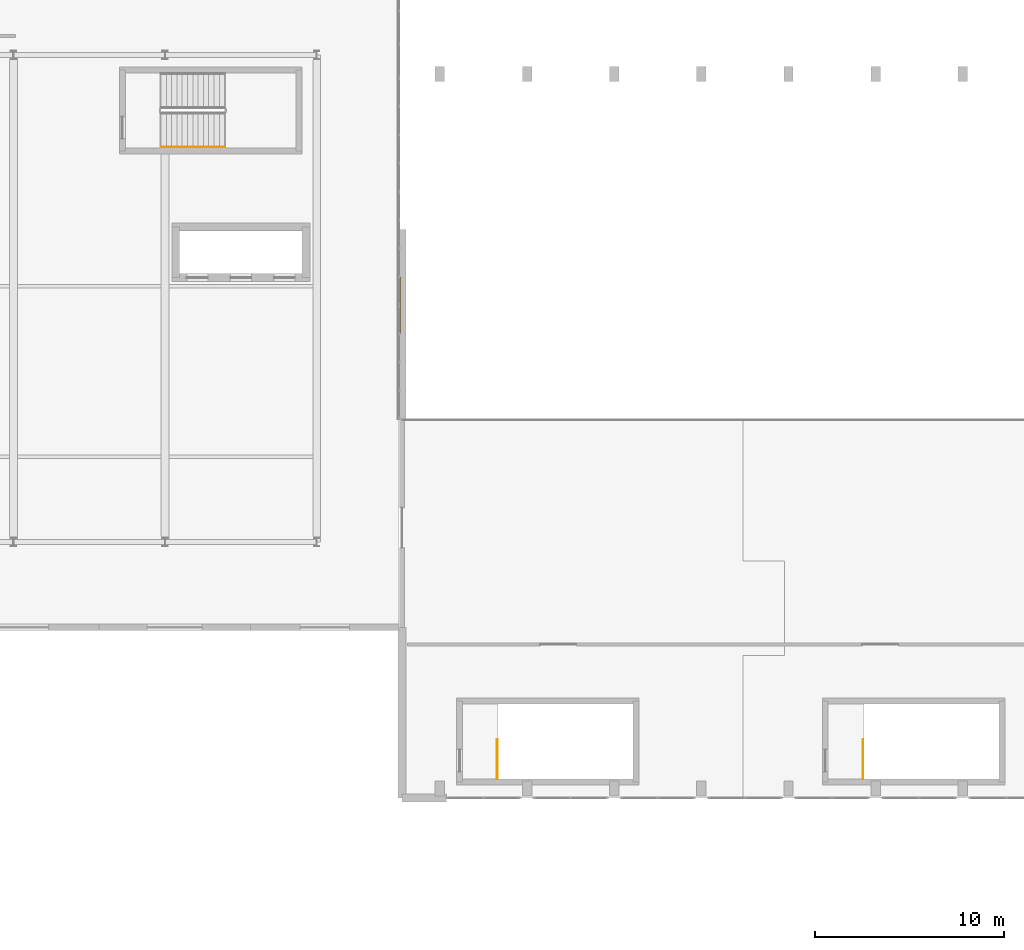
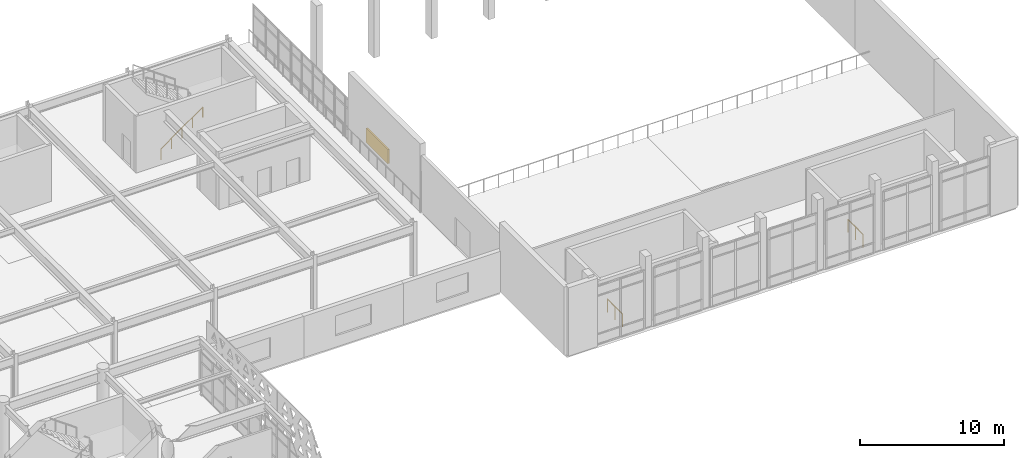
# One storey, part 52 of 54: 3 railings, 1 shading device.
"""IFC4 building model written with IfcOpenShell, lengths in metres."""

from ifc_helpers import new_model, si_unit, direction, frame, origin, origin_2d, place, context, subcontext, project, spatial, rectangle, circle, extrude, material, layer, layer_set, type_object, element, save


model = new_model("IFC4")

# Units and contexts
model_context = context("Model", 3, precision=1e-05, world=origin(), true_north=direction((0.0, 1.0)))
body_context = subcontext(model_context, "Body", "Model", "MODEL_VIEW")
ifc_project = project(units=[si_unit("LENGTHUNIT", "METRE"), si_unit("AREAUNIT", "SQUARE_METRE"), si_unit("VOLUMEUNIT", "CUBIC_METRE"), si_unit("PLANEANGLEUNIT", "RADIAN"), si_unit("MASSUNIT", "GRAM", prefix="KILO")], contexts=[model_context])

# Site, building, storey
site_placement = place(None, origin())
site = spatial("IfcSite", under=ifc_project, at=site_placement, CompositionType="ELEMENT")
building_placement = place(site_placement, origin())
building = spatial("IfcBuilding", under=site, at=building_placement, Name="Tlacozan Convention Centre", CompositionType="ELEMENT")
storey_placement = place(building_placement, frame((0.0, 0.0, 11.39990234375)))
storey = spatial("IfcBuildingStorey", under=building, at=storey_placement, Name="L02", CompositionType="ELEMENT", Elevation=11.39990234375)

# Shading device
ifc_material_1 = material(Name="Dark Bronze Anodised Aluminium", Category="aluminium")
ifc_layer = layer(ifc_material_1, 0.1201171875)
ifc_layer_set = layer_set([ifc_layer], Name="Dark Bronze Anodised Aluminium")
shading_device_type = type_object("IfcShadingDeviceType", Name="Acoustic Plant Louvre Bank", PredefinedType="JALOUSIE", material=ifc_layer_set)
shading_device_placement = place(storey_placement, frame((143.85009765625, 44.0, 1.39990234375), z_axis=(0.0, 0.0, 1.0), x_axis=(0.0, 1.0, 0.0)))
element("IfcShadingDevice", 1, at=shading_device_placement, inside=storey, type_object=shading_device_type, Name="L02 Acoustic Plant Louvre 10", PredefinedType="JALOUSIE", context=body_context, shape_type="SweptSolid", body=[
    extrude(rectangle(XDim=3.0, YDim=0.1201171875, at=origin_2d()), origin(), (0.0, 0.0, 1.0), 1.199951171875),
])

# Railings
ifc_material_2 = material(Name="Architectural Painted Galvanised Steel Railing", Category="steel")
railing_type_1 = type_object("IfcRailingType", Name="Stair Wall Handrail 900", PredefinedType="HANDRAIL", material=ifc_material_2)
railing_placement = place(storey_placement, frame((131.280029296875, 52.35009765625, 0.184814453125)))
element("IfcRailing", 2, at=railing_placement, inside=storey, type_object=railing_type_1, Name="L02 ST-03 stair handrail 1", PredefinedType="HANDRAIL", context=body_context, shape_type="SweptSolid", body=[
    extrude(circle(Radius=0.02392578125, at=origin_2d()), frame((0.0, 0.0, 0.8759765625), z_axis=(0.813733471207, 0.0, 0.581238193719), x_axis=(0.0, 1.0, 0.0)), (0.0, 0.0, 1.0), 4.12890625),
    extrude(circle(Radius=0.02099609375, at=origin_2d()), origin(), (0.0, 0.0, 1.0), 0.851806640625),
    extrude(circle(Radius=0.02099609375, at=origin_2d()), frame((0.83984375, 0.0, 0.60009765625)), (0.0, 0.0, 1.0), 0.851806640625),
    extrude(circle(Radius=0.02099609375, at=origin_2d()), frame((1.679931640625, 0.0, 1.199951171875)), (0.0, 0.0, 1.0), 0.851806640625),
    extrude(circle(Radius=0.02099609375, at=origin_2d()), frame((2.52001953125, 0.0, 1.7998046875)), (0.0, 0.0, 1.0), 0.851806640625),
    extrude(circle(Radius=0.02099609375, at=origin_2d()), frame((3.35986328125, 0.0, 2.39990234375)), (0.0, 0.0, 1.0), 0.851806640625),
])
railing_type_2 = type_object("IfcRailingType", Name="Stair Well Guardrail 1100", PredefinedType="GUARDRAIL", material=ifc_material_2)
for number, where, name in (
    (3, (168.330078125, 19.0, 0.0), "L02 ST-07 top well guard 1"),
    (4, (149.030029296875, 19.0, 0.0), "L02 ST-08 top well guard 1"),
):
    element("IfcRailing", number, at=place(storey_placement, frame(where)), inside=storey, type_object=railing_type_2, Name=name, PredefinedType="GUARDRAIL", context=body_context, shape_type="SweptSolid", body=[
        extrude(circle(Radius=0.02392578125, at=origin_2d()), frame((0.0, 0.0, 1.076171875), z_axis=(0.0, 1.0, 0.0), x_axis=(-1.0, 0.0, 0.0)), (0.0, 0.0, 1.0), 2.080078125),
        extrude(circle(Radius=0.02099609375, at=origin_2d()), origin(), (0.0, 0.0, 1.0), 1.052001953125),
        extrude(circle(Radius=0.02099609375, at=origin_2d()), frame((0.0, 1.0400390625, 0.0)), (0.0, 0.0, 1.0), 1.052001953125),
        extrude(circle(Radius=0.02099609375, at=origin_2d()), frame((0.0, 2.080078125, 0.0)), (0.0, 0.0, 1.0), 1.052001953125),
    ])

save(model, "model.ifc")
